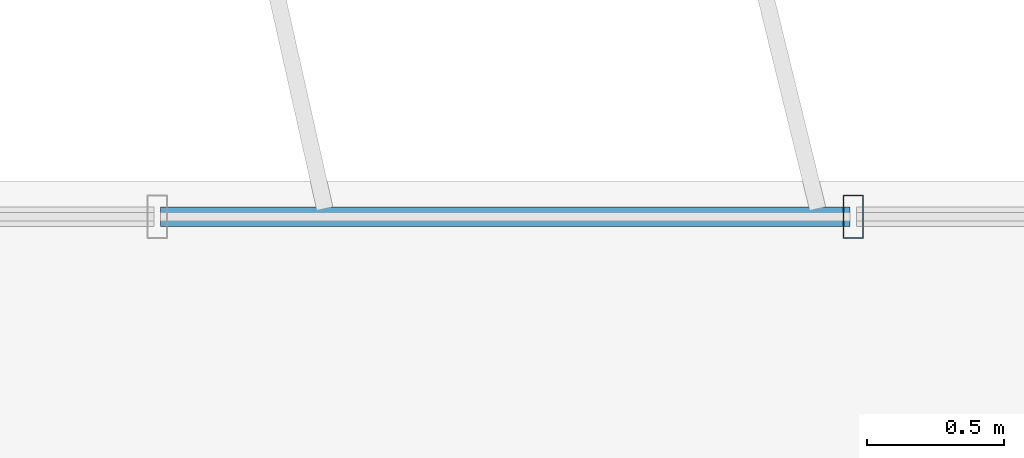
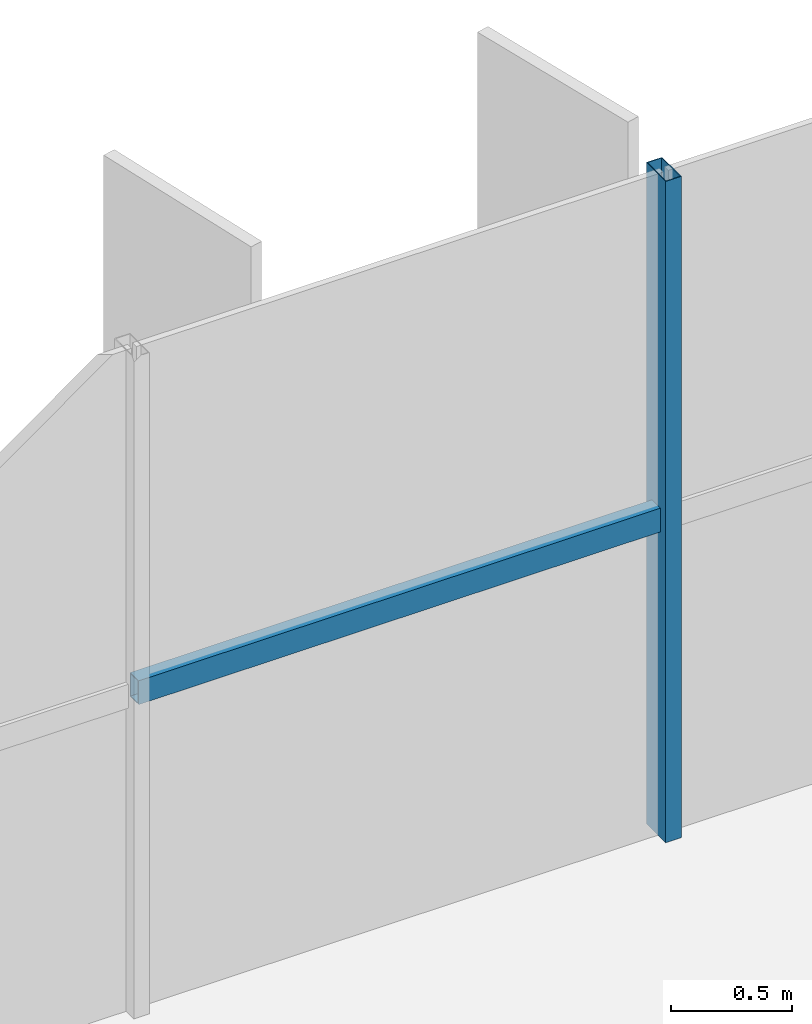
# One storey, part 8 of 22: 2 members, 1 element without a shape of its own.
"""IFC4 building model written with IfcOpenShell, lengths in metres."""

from ifc_helpers import new_model, si_unit, direction, frame, origin, origin_2d, place, context, subcontext, project, spatial, hollow_rectangle, extrude, source, transform, mapped, material, material_profile, profile_set, type_object, element, aggregate, save


model = new_model("IFC4")

# Units and contexts
model_context = context("Model", 3, precision=1e-05, world=origin(), true_north=direction((0.0, 1.0)))
body_context = subcontext(model_context, "Body", "Model", "MODEL_VIEW")
ifc_project = project(units=[si_unit("LENGTHUNIT", "METRE"), si_unit("AREAUNIT", "SQUARE_METRE"), si_unit("VOLUMEUNIT", "CUBIC_METRE"), si_unit("PLANEANGLEUNIT", "RADIAN"), si_unit("MASSUNIT", "GRAM", prefix="KILO")], contexts=[model_context])

# Site, building, storey
site_placement = place(None, origin())
site = spatial("IfcSite", under=ifc_project, at=site_placement, CompositionType="ELEMENT")
building_placement = place(site_placement, origin())
building = spatial("IfcBuilding", under=site, at=building_placement, Name="Trelvane Seafront Commons", CompositionType="ELEMENT")
storey_placement = place(building_placement, frame((0.0, 0.0, 48.699951171875)))
storey = spatial("IfcBuildingStorey", under=building, at=storey_placement, Name="L12", CompositionType="ELEMENT", Elevation=48.699951171875)

# Curtain wall, members
ifc_material = material(Name="Anodised pale-silver aluminium", Category="aluminium")
curtain_wall_type = type_object("IfcCurtainWallType", Name="ARCH-CW2-LOWTOWER", PredefinedType="NOTDEFINED", material=ifc_material)
curtain_wall_placement = place(storey_placement, origin())
curtain_wall = element("IfcCurtainWall", 1, at=curtain_wall_placement, inside=storey, type_object=curtain_wall_type, Name="CW-L12-0036", PredefinedType="NOTDEFINED")
ifc_material_profile_1 = material_profile(ifc_material, hollow_rectangle(XDim=0.074951171875, YDim=0.159912109375, WallThickness=0.00390625, at=origin_2d()), Name="MULL-75x160x4")
ifc_profile_set_1 = profile_set([ifc_material_profile_1], Name="Anodised pale-silver aluminium")
member_type_1 = type_object("IfcMemberType", Name="ARCH-CW-MULL-160", PredefinedType="MULLION", material=ifc_profile_set_1)
shared_shape_1 = source(origin(), body_context, "Body", "SweptSolid", [
    extrude(hollow_rectangle(XDim=0.074951171875, YDim=0.159912109375, WallThickness=0.00390625, at=origin_2d()), origin(), (0.0, 0.0, 1.0), 3.340087890625),
])
member_1_placement = place(storey_placement, frame((35.929443359375, 48.3701171875, 0.0), z_axis=(0.0, 0.0, 1.0), x_axis=(1.0, 0.0, 0.0)))
member_1 = element("IfcMember", 2, at=member_1_placement, type_object=member_type_1, Name="CW-L12-0036-M08", PredefinedType="MULLION", context=body_context, shape_type="MappedRepresentation", body=[
    mapped(shared_shape_1, transform((0.0, 0.0, 0.0), x_axis=(1.0, 0.0, 0.0), y_axis=(0.0, 1.0, 0.0), z_axis=(0.0, 0.0, 1.0), scale=1.0)),
])
ifc_material_profile_2 = material_profile(ifc_material, hollow_rectangle(XDim=0.070068359375, YDim=0.1201171875, WallThickness=0.00390625, at=origin_2d()), Name="TRAN-70x120x4")
ifc_profile_set_2 = profile_set([ifc_material_profile_2], Name="Anodised pale-silver aluminium")
member_type_2 = type_object("IfcMemberType", Name="ARCH-CW-TRAN-120", PredefinedType="USERDEFINED", material=ifc_profile_set_2)
shared_shape_2 = source(origin(), body_context, "Body", "SweptSolid", [
    extrude(hollow_rectangle(XDim=0.070068359375, YDim=0.1201171875, WallThickness=0.00390625, at=origin_2d()), origin(), (0.0, 0.0, 1.0), 2.517333984375),
])
member_2_placement = place(storey_placement, frame((33.400146484375, 48.3701171875, 1.60302734375), z_axis=(1.0, 0.0, 0.0), x_axis=(0.0, 1.0, 0.0)))
member_2 = element("IfcMember", 3, at=member_2_placement, type_object=member_type_2, Name="CW-L12-0036-T07", ObjectType="TRANSOM", PredefinedType="USERDEFINED", context=body_context, shape_type="MappedRepresentation", body=[
    mapped(shared_shape_2, transform((0.0, 0.0, 0.0), x_axis=(1.0, 0.0, 0.0), y_axis=(0.0, 1.0, 0.0), z_axis=(0.0, 0.0, 1.0), scale=1.0)),
])
aggregate(curtain_wall, [member_1, member_2])

save(model, "model.ifc")
